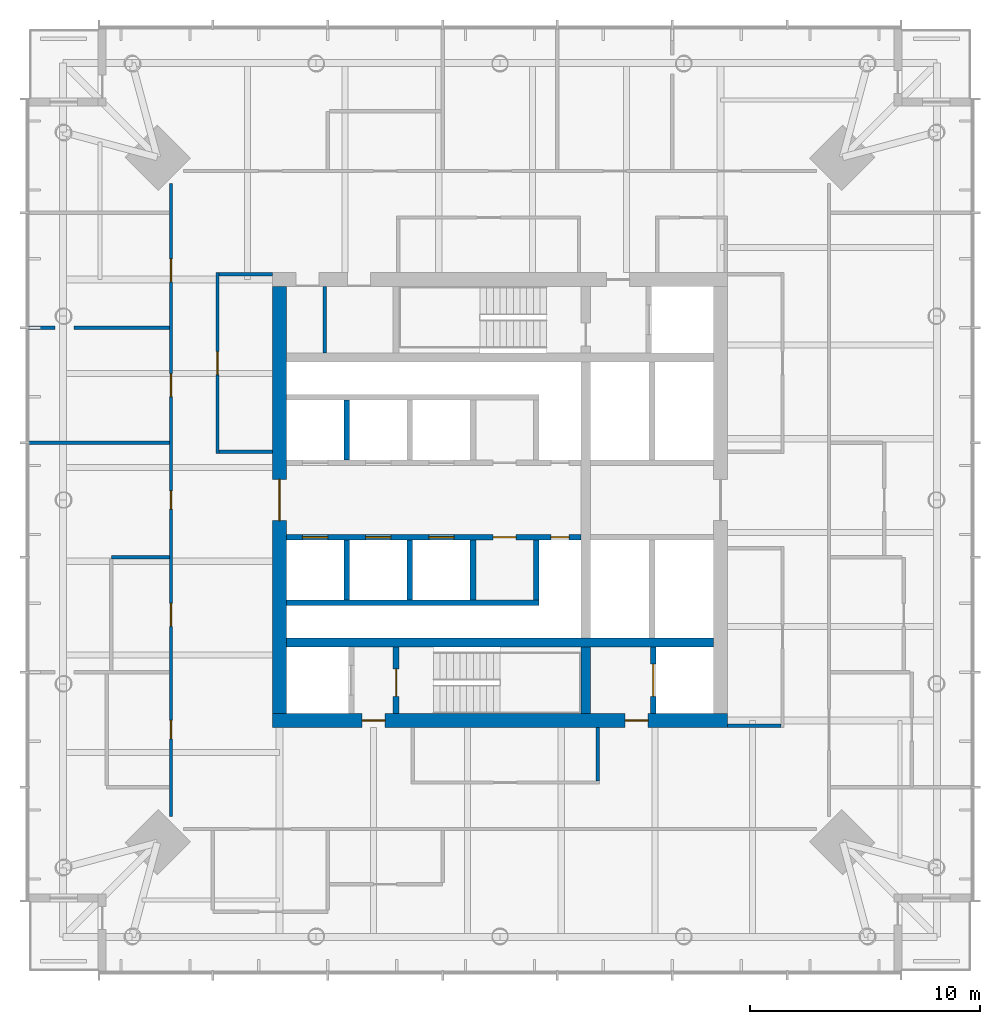
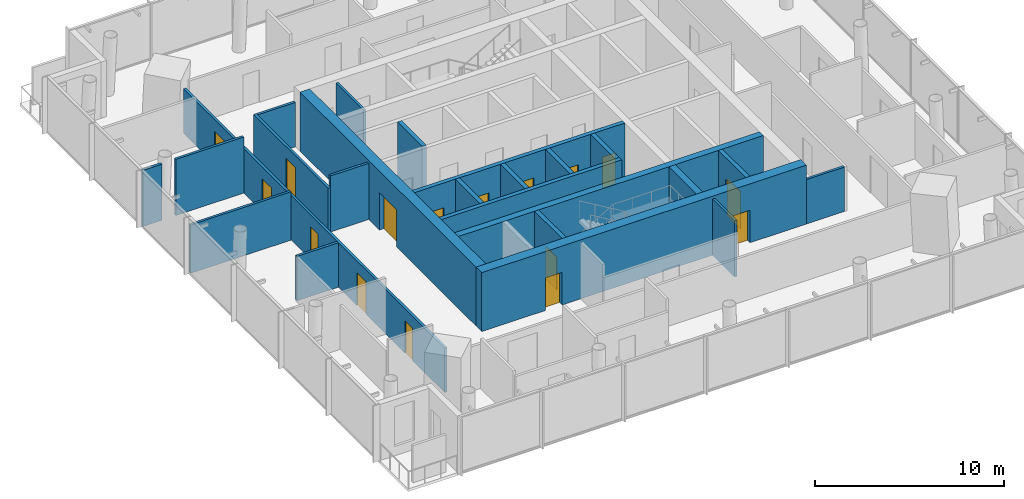
# One storey, part 5 of 9: 24 walls, 16 doors, 16 openings.
"""IFC4 building model written with IfcOpenShell, lengths in metres."""

from ifc_helpers import new_model, si_unit, direction, frame, frame_2d, origin, place, context, subcontext, project, spatial, rectangle, extrude, material, layer, layer_set, type_object, element, fill, save


model = new_model("IFC4")

# Units and contexts
model_context = context("Model", 3, precision=1e-05, world=origin(), true_north=direction((0.0, 1.0)))
body_context = subcontext(model_context, "Body", "Model", "MODEL_VIEW")
ifc_project = project(units=[si_unit("LENGTHUNIT", "METRE"), si_unit("AREAUNIT", "SQUARE_METRE"), si_unit("VOLUMEUNIT", "CUBIC_METRE"), si_unit("PLANEANGLEUNIT", "RADIAN"), si_unit("MASSUNIT", "GRAM", prefix="KILO")], contexts=[model_context])

# Site, building, storey
site_placement = place(None, origin())
site = spatial("IfcSite", under=ifc_project, at=site_placement, CompositionType="ELEMENT")
building_placement = place(site_placement, origin())
building = spatial("IfcBuilding", under=site, at=building_placement, Name="Ostroluk Exchange", CompositionType="ELEMENT")
storey_placement = place(building_placement, frame((0.0, 0.0, 176.800048828125)))
storey = spatial("IfcBuildingStorey", under=building, at=storey_placement, Name="L45", CompositionType="ELEMENT", Elevation=176.800048828125)

# Walls
ifc_material_1 = material(Name="Concrete blockwork", Category="masonry")
ifc_layer_1 = layer(ifc_material_1, 0.14990234375)
ifc_layer_set_1 = layer_set([ifc_layer_1], Name="Blockwork plant room wall 150")
wall_type_1 = type_object("IfcWallType", Name="Blockwork plant room wall 150", PredefinedType="SOLIDWALL", material=ifc_layer_set_1)
wall_1_placement = place(storey_placement, frame((37.3740234375, 52.39990234375, 0.0), z_axis=(0.0, 0.0, 1.0), x_axis=(0.0, 1.0, 0.0)))
element("IfcWall", 1, at=wall_1_placement, inside=storey, type_object=wall_type_1, Name="Core room wall", PredefinedType="SOLIDWALL", context=body_context, shape_type="SweptSolid", body=[
    extrude(rectangle(XDim=2.900146484375, YDim=0.14990234375, at=frame_2d((1.4501953125, 0.0))), origin(), (0.0, 0.0, 1.0), 3.619873046875),
])
ifc_material_2 = material(Name="Concrete C50/60", Category="concrete")
ifc_layer_2 = layer(ifc_material_2, 0.39990234375)
ifc_layer_set_2 = layer_set([ifc_layer_2], Name="Core cross wall 400 C50/60")
wall_type_2 = type_object("IfcWallType", Name="Core cross wall 400 C50/60", PredefinedType="SHEAR", material=ifc_layer_set_2)
wall_2_placement = place(storey_placement, frame((35.699951171875, 39.800048828125, 0.0), z_axis=(0.0, 0.0, 1.0), x_axis=(1.0, 0.0, 0.0)))
element("IfcWall", 2, at=wall_2_placement, inside=storey, type_object=wall_type_2, Name="T1 core wall XS", PredefinedType="SHEAR", context=body_context, shape_type="SweptSolid", body=[
    extrude(rectangle(XDim=18.60009765625, YDim=0.39990234375, at=frame_2d((9.300048828125, 0.0))), origin(), (0.0, 0.0, 1.0), 3.800048828125),
])
wall_3_placement = place(storey_placement, frame((48.72998046875, 36.699951171875, 0.0), z_axis=(0.0, 0.0, 1.0), x_axis=(0.0, 1.0, 0.0)))
element("IfcWall", 3, at=wall_3_placement, inside=storey, type_object=wall_type_2, Name="T1 core wall YE1", PredefinedType="SHEAR", context=body_context, shape_type="SweptSolid", body=[
    extrude(rectangle(XDim=2.900146484375, YDim=0.39990234375, at=frame_2d((1.4501953125, 0.0))), origin(), (0.0, 0.0, 1.0), 3.800048828125),
])

# Wall, opening, door
ifc_material_3 = material(Name="Concrete C40/50", Category="concrete")
ifc_layer_3 = layer(ifc_material_3, 0.25)
ifc_layer_set_3 = layer_set([ifc_layer_3], Name="Core shaft wall 250")
wall_type_3 = type_object("IfcWallType", Name="Core shaft wall 250", PredefinedType="SHEAR", material=ifc_layer_set_3)
wall_4_placement = place(storey_placement, frame((40.47509765625, 36.699951171875, 0.0), z_axis=(0.0, 0.0, 1.0), x_axis=(0.0, 1.0, 0.0)))
wall_4 = element("IfcWall", 4, at=wall_4_placement, inside=storey, type_object=wall_type_3, Name="Stair shaft wall", PredefinedType="SHEAR", context=body_context, shape_type="SweptSolid", body=[
    extrude(rectangle(XDim=2.900146484375, YDim=0.25, at=frame_2d((1.4501953125, 0.0))), origin(), (0.0, 0.0, 1.0), 3.800048828125),
])
opening_1_placement = place(wall_4_placement, frame((0.75, 0.0, 0.0)))
opening_1 = element("IfcOpeningElement", 5, at=opening_1_placement, cuts=wall_4, Name="Opening FD60S", PredefinedType="OPENING", context=body_context, shape_type="SweptSolid", body=[
    extrude(rectangle(XDim=1.199951171875, YDim=2.10009765625, at=frame_2d((0.60009765625, 1.050048828125))), frame((0.0, 0.135009765625, 0.0), z_axis=(0.0, -1.0, 0.0), x_axis=(1.0, 0.0, 0.0)), (0.0, 0.0, 1.0), 0.27001953125),
])
ifc_material_4 = material(Name="Steel", Category="steel")
door_type_1 = type_object("IfcDoorType", Name="Stair door EI 60 1200 x 2100", OperationType="SINGLE_SWING_LEFT", PredefinedType="DOOR", material=ifc_material_4)
door_1_placement = place(opening_1_placement, origin())
door_1 = element("IfcDoor", 6, at=door_1_placement, inside=storey, type_object=door_type_1, Name="Stair T1-S1 door", OperationType="SINGLE_SWING_LEFT", OverallHeight=2.10009765625, OverallWidth=1.199951171875, PredefinedType="DOOR", context=body_context, shape_type="SweptSolid", body=[
    extrude(rectangle(XDim=1.199951171875, YDim=2.10009765625, at=frame_2d((0.60009765625, 1.050048828125))), frame((0.0, 0.02490234375, 0.0), z_axis=(0.0, -1.0, 0.0), x_axis=(1.0, 0.0, 0.0)), (0.0, 0.0, 1.0), 0.050048828125),
])
fill(opening_1, door_1)

wall_5_placement = place(storey_placement, frame((51.675048828125, 36.699951171875, 0.0), z_axis=(0.0, 0.0, 1.0), x_axis=(0.0, 1.0, 0.0)))
wall_5 = element("IfcWall", 7, at=wall_5_placement, inside=storey, type_object=wall_type_3, Name="Service lift shaft wall", PredefinedType="SHEAR", context=body_context, shape_type="SweptSolid", body=[
    extrude(rectangle(XDim=2.900146484375, YDim=0.25, at=frame_2d((1.4501953125, 0.0))), origin(), (0.0, 0.0, 1.0), 3.800048828125),
])
opening_2_placement = place(wall_5_placement, frame((0.75, 0.0, 0.0)))
opening_2 = element("IfcOpeningElement", 8, at=opening_2_placement, cuts=wall_5, Name="Opening LD3", PredefinedType="OPENING", context=body_context, shape_type="SweptSolid", body=[
    extrude(rectangle(XDim=1.39990234375, YDim=2.39990234375, at=frame_2d((0.699951171875, 1.199951171875))), frame((0.0, 0.135009765625, 0.0), z_axis=(0.0, -1.0, 0.0), x_axis=(1.0, 0.0, 0.0)), (0.0, 0.0, 1.0), 0.27001953125),
])
ifc_material_5 = material(Name="Stainless steel", Category="steel")
door_type_2 = type_object("IfcDoorType", Name="Goods lift landing door E 60 1400 x 2400", OperationType="DOUBLE_DOOR_SLIDING", PredefinedType="DOOR", material=ifc_material_5)
door_2_placement = place(opening_2_placement, origin())
door_2 = element("IfcDoor", 9, at=door_2_placement, inside=storey, type_object=door_type_2, Name="Lift SL1 landing door", OperationType="DOUBLE_DOOR_SLIDING", OverallHeight=2.39990234375, OverallWidth=1.39990234375, PredefinedType="DOOR", context=body_context, shape_type="SweptSolid", body=[
    extrude(rectangle(XDim=1.39990234375, YDim=2.39990234375, at=frame_2d((0.699951171875, 1.199951171875))), frame((0.0, 0.02490234375, 0.0), z_axis=(0.0, -1.0, 0.0), x_axis=(1.0, 0.0, 0.0)), (0.0, 0.0, 1.0), 0.050048828125),
])
fill(opening_2, door_2)

# Walls
for number, where, z_axis, x_axis, name in (
    (10, (38.324951171875, 47.75, 0.0), (0.0, 0.0, 1.0), (0.0, 1.0, 0.0), "Lift shaft wall"),
    (11, (38.324951171875, 44.25, 0.0), (0.0, 0.0, 1.0), (0.0, -1.0, 0.0), "Lift shaft wall"),
    (12, (41.074951171875, 44.25, 0.0), (0.0, 0.0, 1.0), (0.0, -1.0, 0.0), "Lift shaft wall"),
    (13, (43.824951171875, 44.25, 0.0), (0.0, 0.0, 1.0), (0.0, -1.0, 0.0), "Lift shaft wall"),
    (14, (46.574951171875, 44.25, 0.0), (0.0, 0.0, 1.0), (0.0, -1.0, 0.0), "Lift shaft wall"),
):
    element("IfcWall", number, at=place(storey_placement, frame(where, z_axis=z_axis, x_axis=x_axis)), inside=storey, type_object=wall_type_3, Name=name, PredefinedType="SHEAR", context=body_context, shape_type="SweptSolid", body=[
        extrude(rectangle(XDim=2.60009765625, YDim=0.25, at=frame_2d((1.300048828125, 0.0))), origin(), (0.0, 0.0, 1.0), 3.800048828125),
    ])
wall_6_placement = place(storey_placement, frame((35.699951171875, 41.52490234375, 0.0), z_axis=(0.0, 0.0, 1.0), x_axis=(1.0, 0.0, 0.0)))
element("IfcWall", 15, at=wall_6_placement, inside=storey, type_object=wall_type_3, Name="Lift shaft wall", PredefinedType="SHEAR", context=body_context, shape_type="SweptSolid", body=[
    extrude(rectangle(XDim=11.0, YDim=0.25, at=frame_2d((5.5, 0.0))), origin(), (0.0, 0.0, 1.0), 3.800048828125),
])

# Wall, openings, doors
wall_7_placement = place(storey_placement, frame((35.699951171875, 44.375, 0.0), z_axis=(0.0, 0.0, 1.0), x_axis=(1.0, 0.0, 0.0)))
wall_7 = element("IfcWall", 16, at=wall_7_placement, inside=storey, type_object=wall_type_3, Name="Lift shaft front wall", PredefinedType="SHEAR", context=body_context, shape_type="SweptSolid", body=[
    extrude(rectangle(XDim=12.830078125, YDim=0.25, at=frame_2d((6.4150390625, 0.0))), origin(), (0.0, 0.0, 1.0), 3.800048828125),
])
opening_3_placement = place(wall_7_placement, frame((0.699951171875, 0.0, 0.0)))
opening_3 = element("IfcOpeningElement", 17, at=opening_3_placement, cuts=wall_7, Name="Opening LD", PredefinedType="OPENING", context=body_context, shape_type="SweptSolid", body=[
    extrude(rectangle(XDim=1.10009765625, YDim=2.199951171875, at=frame_2d((0.550048828125, 1.10009765625))), frame((0.0, 0.135009765625, 0.0), z_axis=(0.0, -1.0, 0.0), x_axis=(1.0, 0.0, 0.0)), (0.0, 0.0, 1.0), 0.27001953125),
])
opening_4_placement = place(wall_7_placement, frame((3.449951171875, 0.0, 0.0)))
opening_4 = element("IfcOpeningElement", 18, at=opening_4_placement, cuts=wall_7, Name="Opening LD", PredefinedType="OPENING", context=body_context, shape_type="SweptSolid", body=[
    extrude(rectangle(XDim=1.10009765625, YDim=2.199951171875, at=frame_2d((0.550048828125, 1.10009765625))), frame((0.0, 0.135009765625, 0.0), z_axis=(0.0, -1.0, 0.0), x_axis=(1.0, 0.0, 0.0)), (0.0, 0.0, 1.0), 0.27001953125),
])
opening_5_placement = place(wall_7_placement, frame((6.199951171875, 0.0, 0.0)))
opening_5 = element("IfcOpeningElement", 19, at=opening_5_placement, cuts=wall_7, Name="Opening LD", PredefinedType="OPENING", context=body_context, shape_type="SweptSolid", body=[
    extrude(rectangle(XDim=1.10009765625, YDim=2.199951171875, at=frame_2d((0.550048828125, 1.10009765625))), frame((0.0, 0.135009765625, 0.0), z_axis=(0.0, -1.0, 0.0), x_axis=(1.0, 0.0, 0.0)), (0.0, 0.0, 1.0), 0.27001953125),
])
opening_6_placement = place(wall_7_placement, frame((9.0, 0.0, 0.0)))
opening_6 = element("IfcOpeningElement", 20, at=opening_6_placement, cuts=wall_7, Name="Opening FD60", PredefinedType="OPENING", context=body_context, shape_type="SweptSolid", body=[
    extrude(rectangle(XDim=1.0, YDim=2.10009765625, at=frame_2d((0.5, 1.050048828125))), frame((0.0, 0.135009765625, 0.0), z_axis=(0.0, -1.0, 0.0), x_axis=(1.0, 0.0, 0.0)), (0.0, 0.0, 1.0), 0.27001953125),
])
opening_7_placement = place(wall_7_placement, frame((11.514892578125, 0.0, 0.0)))
opening_7 = element("IfcOpeningElement", 21, at=opening_7_placement, cuts=wall_7, Name="Opening RD60", PredefinedType="OPENING", context=body_context, shape_type="SweptSolid", body=[
    extrude(rectangle(XDim=0.800048828125, YDim=2.0, at=frame_2d((0.39990234375, 1.0))), frame((0.0, 0.135009765625, 0.0), z_axis=(0.0, -1.0, 0.0), x_axis=(1.0, 0.0, 0.0)), (0.0, 0.0, 1.0), 0.27001953125),
])
ifc_material_6 = material(Name="Steel", Category="steel")
door_type_3 = type_object("IfcDoorType", Name="Fire door EI 60 1000 x 2100", OperationType="SINGLE_SWING_LEFT", PredefinedType="DOOR", material=ifc_material_6)
door_3_placement = place(opening_6_placement, origin())
door_3 = element("IfcDoor", 22, at=door_3_placement, inside=storey, type_object=door_type_3, Name="Core room door", OperationType="SINGLE_SWING_RIGHT", OverallHeight=2.10009765625, OverallWidth=1.0, PredefinedType="DOOR", context=body_context, shape_type="SweptSolid", body=[
    extrude(rectangle(XDim=1.0, YDim=2.10009765625, at=frame_2d((0.5, 1.050048828125))), frame((0.0, 0.02490234375, 0.0), z_axis=(0.0, -1.0, 0.0), x_axis=(1.0, 0.0, 0.0)), (0.0, 0.0, 1.0), 0.050048828125),
])
fill(opening_6, door_3)
ifc_material_7 = material(Name="Stainless steel", Category="steel")
door_type_4 = type_object("IfcDoorType", Name="Lift landing door E 60 1100 x 2200", OperationType="DOUBLE_DOOR_SLIDING", PredefinedType="DOOR", material=ifc_material_7)
door_4_placement = place(opening_3_placement, origin())
door_4 = element("IfcDoor", 23, at=door_4_placement, inside=storey, type_object=door_type_4, Name="Lift PL-H4 landing door", OperationType="DOUBLE_DOOR_SLIDING", OverallHeight=2.199951171875, OverallWidth=1.10009765625, PredefinedType="DOOR", context=body_context, shape_type="SweptSolid", body=[
    extrude(rectangle(XDim=1.10009765625, YDim=2.199951171875, at=frame_2d((0.550048828125, 1.10009765625))), frame((0.0, 0.02490234375, 0.0), z_axis=(0.0, -1.0, 0.0), x_axis=(1.0, 0.0, 0.0)), (0.0, 0.0, 1.0), 0.050048828125),
])
fill(opening_3, door_4)
door_5_placement = place(opening_4_placement, origin())
door_5 = element("IfcDoor", 24, at=door_5_placement, inside=storey, type_object=door_type_4, Name="Lift PL-H5 landing door", OperationType="DOUBLE_DOOR_SLIDING", OverallHeight=2.199951171875, OverallWidth=1.10009765625, PredefinedType="DOOR", context=body_context, shape_type="SweptSolid", body=[
    extrude(rectangle(XDim=1.10009765625, YDim=2.199951171875, at=frame_2d((0.550048828125, 1.10009765625))), frame((0.0, 0.02490234375, 0.0), z_axis=(0.0, -1.0, 0.0), x_axis=(1.0, 0.0, 0.0)), (0.0, 0.0, 1.0), 0.050048828125),
])
fill(opening_4, door_5)
door_6_placement = place(opening_5_placement, origin())
door_6 = element("IfcDoor", 25, at=door_6_placement, inside=storey, type_object=door_type_4, Name="Lift PL-H6 landing door", OperationType="DOUBLE_DOOR_SLIDING", OverallHeight=2.199951171875, OverallWidth=1.10009765625, PredefinedType="DOOR", context=body_context, shape_type="SweptSolid", body=[
    extrude(rectangle(XDim=1.10009765625, YDim=2.199951171875, at=frame_2d((0.550048828125, 1.10009765625))), frame((0.0, 0.02490234375, 0.0), z_axis=(0.0, -1.0, 0.0), x_axis=(1.0, 0.0, 0.0)), (0.0, 0.0, 1.0), 0.050048828125),
])
fill(opening_5, door_6)
ifc_material_8 = material(Name="Steel", Category="steel")
door_type_5 = type_object("IfcDoorType", Name="Riser access door EI 60 800 x 2000", OperationType="SINGLE_SWING_LEFT", PredefinedType="DOOR", material=ifc_material_8)
door_7_placement = place(opening_7_placement, origin())
door_7 = element("IfcDoor", 26, at=door_7_placement, inside=storey, type_object=door_type_5, Name="Riser access door", OperationType="SINGLE_SWING_RIGHT", OverallHeight=2.0, OverallWidth=0.800048828125, PredefinedType="DOOR", context=body_context, shape_type="SweptSolid", body=[
    extrude(rectangle(XDim=0.800048828125, YDim=2.0, at=frame_2d((0.39990234375, 1.0))), frame((0.0, 0.02490234375, 0.0), z_axis=(0.0, -1.0, 0.0), x_axis=(1.0, 0.0, 0.0)), (0.0, 0.0, 1.0), 0.050048828125),
])
fill(opening_7, door_7)

ifc_material_9 = material(Name="Concrete C50/60", Category="concrete")
ifc_layer_4 = layer(ifc_material_9, 0.60009765625)
ifc_layer_set_4 = layer_set([ifc_layer_4], Name="Core wall 600 C50/60")
wall_type_4 = type_object("IfcWallType", Name="Core wall 600 C50/60", PredefinedType="SHEAR", material=ifc_layer_set_4)
wall_8_placement = place(storey_placement, frame((35.10009765625, 36.39990234375, 0.0), z_axis=(0.0, 0.0, 1.0), x_axis=(1.0, 0.0, 0.0)))
wall_8 = element("IfcWall", 27, at=wall_8_placement, inside=storey, type_object=wall_type_4, Name="T1 core wall S", PredefinedType="SHEAR", context=body_context, shape_type="SweptSolid", body=[
    extrude(rectangle(XDim=19.7998046875, YDim=0.60009765625, at=frame_2d((9.89990234375, 0.0))), origin(), (0.0, 0.0, 1.0), 3.800048828125),
])
opening_8_placement = place(wall_8_placement, frame((3.89990234375, 0.0, 0.0)))
opening_8 = element("IfcOpeningElement", 28, at=opening_8_placement, cuts=wall_8, Name="Opening FD60", PredefinedType="OPENING", context=body_context, shape_type="SweptSolid", body=[
    extrude(rectangle(XDim=1.0, YDim=2.10009765625, at=frame_2d((0.5, 1.050048828125))), frame((0.0, 0.31005859375, 0.0), z_axis=(0.0, -1.0, 0.0), x_axis=(1.0, 0.0, 0.0)), (0.0, 0.0, 1.0), 0.6201171875),
])
opening_9_placement = place(wall_8_placement, frame((15.35009765625, 0.0, 0.0)))
opening_9 = element("IfcOpeningElement", 29, at=opening_9_placement, cuts=wall_8, Name="Opening FD60", PredefinedType="OPENING", context=body_context, shape_type="SweptSolid", body=[
    extrude(rectangle(XDim=1.0, YDim=2.10009765625, at=frame_2d((0.5, 1.050048828125))), frame((0.0, 0.31005859375, 0.0), z_axis=(0.0, -1.0, 0.0), x_axis=(1.0, 0.0, 0.0)), (0.0, 0.0, 1.0), 0.6201171875),
])
door_8_placement = place(opening_8_placement, origin())
door_8 = element("IfcDoor", 30, at=door_8_placement, inside=storey, type_object=door_type_3, Name="Firefighting lobby door", OperationType="SINGLE_SWING_LEFT", OverallHeight=2.10009765625, OverallWidth=1.0, PredefinedType="DOOR", context=body_context, shape_type="SweptSolid", body=[
    extrude(rectangle(XDim=1.0, YDim=2.10009765625, at=frame_2d((0.5, 1.050048828125))), frame((0.0, 0.02490234375, 0.0), z_axis=(0.0, -1.0, 0.0), x_axis=(1.0, 0.0, 0.0)), (0.0, 0.0, 1.0), 0.050048828125),
])
fill(opening_8, door_8)
door_9_placement = place(opening_9_placement, origin())
door_9 = element("IfcDoor", 31, at=door_9_placement, inside=storey, type_object=door_type_3, Name="Service lobby door", OperationType="SINGLE_SWING_RIGHT", OverallHeight=2.10009765625, OverallWidth=1.0, PredefinedType="DOOR", context=body_context, shape_type="SweptSolid", body=[
    extrude(rectangle(XDim=1.0, YDim=2.10009765625, at=frame_2d((0.5, 1.050048828125))), frame((0.0, 0.02490234375, 0.0), z_axis=(0.0, -1.0, 0.0), x_axis=(1.0, 0.0, 0.0)), (0.0, 0.0, 1.0), 0.050048828125),
])
fill(opening_9, door_9)

# Wall, opening, door
wall_9_placement = place(storey_placement, frame((35.39990234375, 36.699951171875, 0.0), z_axis=(0.0, 0.0, 1.0), x_axis=(0.0, 1.0, 0.0)))
wall_9 = element("IfcWall", 32, at=wall_9_placement, inside=storey, type_object=wall_type_4, Name="T1 core wall W", PredefinedType="SHEAR", context=body_context, shape_type="SweptSolid", body=[
    extrude(rectangle(XDim=18.60009765625, YDim=0.60009765625, at=frame_2d((9.300048828125, 0.0))), origin(), (0.0, 0.0, 1.0), 3.800048828125),
])
opening_10_placement = place(wall_9_placement, frame((8.39990234375, 0.0, 0.0)))
opening_10 = element("IfcOpeningElement", 33, at=opening_10_placement, cuts=wall_9, Name="Opening FD30D", PredefinedType="OPENING", context=body_context, shape_type="SweptSolid", body=[
    extrude(rectangle(XDim=1.800048828125, YDim=2.39990234375, at=frame_2d((0.89990234375, 1.199951171875))), frame((0.0, 0.31005859375, 0.0), z_axis=(0.0, -1.0, 0.0), x_axis=(1.0, 0.0, 0.0)), (0.0, 0.0, 1.0), 0.6201171875),
])
ifc_material_10 = material(Name="Timber", Category="wood")
door_type_6 = type_object("IfcDoorType", Name="Lobby double door EI 30 1800 x 2400", OperationType="DOUBLE_DOOR_SINGLE_SWING", PredefinedType="DOOR", material=ifc_material_10)
door_10_placement = place(opening_10_placement, origin())
door_10 = element("IfcDoor", 34, at=door_10_placement, inside=storey, type_object=door_type_6, Name="Lift lobby doors", OperationType="DOUBLE_DOOR_SINGLE_SWING", OverallHeight=2.39990234375, OverallWidth=1.800048828125, PredefinedType="DOOR", context=body_context, shape_type="SweptSolid", body=[
    extrude(rectangle(XDim=1.800048828125, YDim=2.39990234375, at=frame_2d((0.89990234375, 1.199951171875))), frame((0.0, 0.02490234375, 0.0), z_axis=(0.0, -1.0, 0.0), x_axis=(1.0, 0.0, 0.0)), (0.0, 0.0, 1.0), 0.050048828125),
])
fill(opening_10, door_10)

# Wall
ifc_material_11 = material(Name="Gypsum plasterboard partition", Category="gypsum")
ifc_layer_5 = layer(ifc_material_11, 0.14990234375)
ifc_layer_set_5 = layer_set([ifc_layer_5], Name="Plasterboard partition 150")
wall_type_5 = type_object("IfcWallType", Name="Plasterboard partition 150", PredefinedType="PARTITIONING", material=ifc_layer_set_5)
wall_10_placement = place(storey_placement, frame((54.89990234375, 36.175048828125, 0.0), z_axis=(0.0, 0.0, 1.0), x_axis=(1.0, 0.0, 0.0)))
element("IfcWall", 35, at=wall_10_placement, inside=storey, type_object=wall_type_5, Name="Partition", PredefinedType="PARTITIONING", context=body_context, shape_type="SweptSolid", body=[
    extrude(rectangle(XDim=2.3251953125, YDim=0.14990234375, at=frame_2d((1.16259765625, 0.0))), origin(), (0.0, 0.0, 1.0), 2.866943359375),
])

# Wall, opening, door
wall_11_placement = place(storey_placement, frame((32.699951171875, 55.89990234375, 0.0), z_axis=(0.0, 0.0, 1.0), x_axis=(0.0, -1.0, 0.0)))
wall_11 = element("IfcWall", 36, at=wall_11_placement, inside=storey, type_object=wall_type_5, Name="Partition", PredefinedType="PARTITIONING", context=body_context, shape_type="SweptSolid", body=[
    extrude(rectangle(XDim=7.875, YDim=0.14990234375, at=frame_2d((3.9375, 0.0))), origin(), (0.0, 0.0, 1.0), 2.866943359375),
])
opening_11_placement = place(wall_11_placement, frame((3.4375, 0.0, 0.0)))
opening_11 = element("IfcOpeningElement", 37, at=opening_11_placement, cuts=wall_11, Name="Opening D-03", PredefinedType="OPENING", context=body_context, shape_type="SweptSolid", body=[
    extrude(rectangle(XDim=1.0, YDim=2.10009765625, at=frame_2d((0.5, 1.050048828125))), frame((0.0, 0.0849609375, 0.0), z_axis=(0.0, -1.0, 0.0), x_axis=(1.0, 0.0, 0.0)), (0.0, 0.0, 1.0), 0.169921875),
])
ifc_material_12 = material(Name="Timber", Category="wood")
door_type_7 = type_object("IfcDoorType", Name="Internal door 1000 x 2100", OperationType="SINGLE_SWING_LEFT", PredefinedType="DOOR", material=ifc_material_12)
door_11_placement = place(opening_11_placement, origin())
door_11 = element("IfcDoor", 38, at=door_11_placement, inside=storey, type_object=door_type_7, Name="Meeting room door", OperationType="SINGLE_SWING_LEFT", OverallHeight=2.10009765625, OverallWidth=1.0, PredefinedType="DOOR", context=body_context, shape_type="SweptSolid", body=[
    extrude(rectangle(XDim=1.0, YDim=2.10009765625, at=frame_2d((0.5, 1.050048828125))), frame((0.0, 0.02490234375, 0.0), z_axis=(0.0, -1.0, 0.0), x_axis=(1.0, 0.0, 0.0)), (0.0, 0.0, 1.0), 0.050048828125),
])
fill(opening_11, door_11)

# Walls
wall_12_placement = place(storey_placement, frame((35.10009765625, 55.824951171875, 0.0), z_axis=(0.0, 0.0, 1.0), x_axis=(-1.0, 0.0, 0.0)))
element("IfcWall", 39, at=wall_12_placement, inside=storey, type_object=wall_type_5, Name="Partition", PredefinedType="PARTITIONING", context=body_context, shape_type="SweptSolid", body=[
    extrude(rectangle(XDim=2.3251953125, YDim=0.14990234375, at=frame_2d((1.16259765625, 0.0))), origin(), (0.0, 0.0, 1.0), 2.866943359375),
])
for number, where, z_axis, x_axis, name in (
    (40, (35.10009765625, 48.10009765625, 0.0), (0.0, 0.0, 1.0), (-1.0, 0.0, 0.0), "Partition"),
    (41, (49.25, 36.10009765625, 0.0), (0.0, 0.0, 1.0), (0.0, -1.0, 0.0), "Partition"),
):
    element("IfcWall", number, at=place(storey_placement, frame(where, z_axis=z_axis, x_axis=x_axis)), inside=storey, type_object=wall_type_5, Name=name, PredefinedType="PARTITIONING", context=body_context, shape_type="SweptSolid", body=[
        extrude(rectangle(XDim=2.3251953125, YDim=0.14990234375, at=frame_2d((1.16259765625, 0.0))), origin(), (0.0, 0.0, 1.0), 3.619873046875),
    ])

# Wall, openings, doors
wall_13_placement = place(storey_placement, frame((30.675048828125, 59.785888671875, 0.0), z_axis=(0.0, 0.0, 1.0), x_axis=(0.0, -1.0, 0.0)))
wall_13 = element("IfcWall", 42, at=wall_13_placement, inside=storey, type_object=wall_type_5, Name="Partition", PredefinedType="PARTITIONING", context=body_context, shape_type="SweptSolid", body=[
    extrude(rectangle(XDim=27.57177734375, YDim=0.14990234375, at=frame_2d((13.785888671875, 0.0))), origin(), (0.0, 0.0, 1.0), 2.866943359375),
])
opening_12_placement = place(wall_13_placement, frame((3.285888671875, 0.0, 0.0)))
opening_12 = element("IfcOpeningElement", 43, at=opening_12_placement, cuts=wall_13, Name="Opening D-03", PredefinedType="OPENING", context=body_context, shape_type="SweptSolid", body=[
    extrude(rectangle(XDim=1.0, YDim=2.10009765625, at=frame_2d((0.5, 1.050048828125))), frame((0.0, 0.0849609375, 0.0), z_axis=(0.0, -1.0, 0.0), x_axis=(1.0, 0.0, 0.0)), (0.0, 0.0, 1.0), 0.169921875),
])
opening_13_placement = place(wall_13_placement, frame((8.285888671875, 0.0, 0.0)))
opening_13 = element("IfcOpeningElement", 44, at=opening_13_placement, cuts=wall_13, Name="Opening D-03", PredefinedType="OPENING", context=body_context, shape_type="SweptSolid", body=[
    extrude(rectangle(XDim=1.0, YDim=2.10009765625, at=frame_2d((0.5, 1.050048828125))), frame((0.0, 0.0849609375, 0.0), z_axis=(0.0, -1.0, 0.0), x_axis=(1.0, 0.0, 0.0)), (0.0, 0.0, 1.0), 0.169921875),
])
opening_14_placement = place(wall_13_placement, frame((13.3857421875, 0.0, 0.0)))
opening_14 = element("IfcOpeningElement", 45, at=opening_14_placement, cuts=wall_13, Name="Opening D-06", PredefinedType="OPENING", context=body_context, shape_type="SweptSolid", body=[
    extrude(rectangle(XDim=0.800048828125, YDim=2.10009765625, at=frame_2d((0.39990234375, 1.050048828125))), frame((0.0, 0.0849609375, 0.0), z_axis=(0.0, -1.0, 0.0), x_axis=(1.0, 0.0, 0.0)), (0.0, 0.0, 1.0), 0.169921875),
])
opening_15_placement = place(wall_13_placement, frame((18.285888671875, 0.0, 0.0)))
opening_15 = element("IfcOpeningElement", 46, at=opening_15_placement, cuts=wall_13, Name="Opening D-03", PredefinedType="OPENING", context=body_context, shape_type="SweptSolid", body=[
    extrude(rectangle(XDim=1.0, YDim=2.10009765625, at=frame_2d((0.5, 1.050048828125))), frame((0.0, 0.0849609375, 0.0), z_axis=(0.0, -1.0, 0.0), x_axis=(1.0, 0.0, 0.0)), (0.0, 0.0, 1.0), 0.169921875),
])
opening_16_placement = place(wall_13_placement, frame((23.3857421875, 0.0, 0.0)))
opening_16 = element("IfcOpeningElement", 47, at=opening_16_placement, cuts=wall_13, Name="Opening D-06", PredefinedType="OPENING", context=body_context, shape_type="SweptSolid", body=[
    extrude(rectangle(XDim=0.800048828125, YDim=2.10009765625, at=frame_2d((0.39990234375, 1.050048828125))), frame((0.0, 0.0849609375, 0.0), z_axis=(0.0, -1.0, 0.0), x_axis=(1.0, 0.0, 0.0)), (0.0, 0.0, 1.0), 0.169921875),
])
door_12_placement = place(opening_12_placement, origin())
door_12 = element("IfcDoor", 48, at=door_12_placement, inside=storey, type_object=door_type_7, Name="Office door", OperationType="SINGLE_SWING_LEFT", OverallHeight=2.10009765625, OverallWidth=1.0, PredefinedType="DOOR", context=body_context, shape_type="SweptSolid", body=[
    extrude(rectangle(XDim=1.0, YDim=2.10009765625, at=frame_2d((0.5, 1.050048828125))), frame((0.0, 0.02490234375, 0.0), z_axis=(0.0, -1.0, 0.0), x_axis=(1.0, 0.0, 0.0)), (0.0, 0.0, 1.0), 0.050048828125),
])
fill(opening_12, door_12)
door_13_placement = place(opening_13_placement, origin())
door_13 = element("IfcDoor", 49, at=door_13_placement, inside=storey, type_object=door_type_7, Name="Meeting room door", OperationType="SINGLE_SWING_LEFT", OverallHeight=2.10009765625, OverallWidth=1.0, PredefinedType="DOOR", context=body_context, shape_type="SweptSolid", body=[
    extrude(rectangle(XDim=1.0, YDim=2.10009765625, at=frame_2d((0.5, 1.050048828125))), frame((0.0, 0.02490234375, 0.0), z_axis=(0.0, -1.0, 0.0), x_axis=(1.0, 0.0, 0.0)), (0.0, 0.0, 1.0), 0.050048828125),
])
fill(opening_13, door_13)
door_14_placement = place(opening_15_placement, origin())
door_14 = element("IfcDoor", 50, at=door_14_placement, inside=storey, type_object=door_type_7, Name="Accessible WC door", OperationType="SINGLE_SWING_RIGHT", OverallHeight=2.10009765625, OverallWidth=1.0, PredefinedType="DOOR", context=body_context, shape_type="SweptSolid", body=[
    extrude(rectangle(XDim=1.0, YDim=2.10009765625, at=frame_2d((0.5, 1.050048828125))), frame((0.0, 0.02490234375, 0.0), z_axis=(0.0, -1.0, 0.0), x_axis=(1.0, 0.0, 0.0)), (0.0, 0.0, 1.0), 0.050048828125),
])
fill(opening_15, door_14)
ifc_material_13 = material(Name="Timber", Category="wood")
door_type_8 = type_object("IfcDoorType", Name="Toilet door 800 x 2100", OperationType="SINGLE_SWING_LEFT", PredefinedType="DOOR", material=ifc_material_13)
door_15_placement = place(opening_14_placement, origin())
door_15 = element("IfcDoor", 51, at=door_15_placement, inside=storey, type_object=door_type_8, Name="WC female door", OperationType="SINGLE_SWING_LEFT", OverallHeight=2.10009765625, OverallWidth=0.800048828125, PredefinedType="DOOR", context=body_context, shape_type="SweptSolid", body=[
    extrude(rectangle(XDim=0.800048828125, YDim=2.10009765625, at=frame_2d((0.39990234375, 1.050048828125))), frame((0.0, 0.02490234375, 0.0), z_axis=(0.0, -1.0, 0.0), x_axis=(1.0, 0.0, 0.0)), (0.0, 0.0, 1.0), 0.050048828125),
])
fill(opening_14, door_15)
door_16_placement = place(opening_16_placement, origin())
door_16 = element("IfcDoor", 52, at=door_16_placement, inside=storey, type_object=door_type_8, Name="WC male door", OperationType="SINGLE_SWING_RIGHT", OverallHeight=2.10009765625, OverallWidth=0.800048828125, PredefinedType="DOOR", context=body_context, shape_type="SweptSolid", body=[
    extrude(rectangle(XDim=0.800048828125, YDim=2.10009765625, at=frame_2d((0.39990234375, 1.050048828125))), frame((0.0, 0.02490234375, 0.0), z_axis=(0.0, -1.0, 0.0), x_axis=(1.0, 0.0, 0.0)), (0.0, 0.0, 1.0), 0.050048828125),
])
fill(opening_16, door_16)

# Walls
wall_14_placement = place(storey_placement, frame((30.60009765625, 53.5, 0.0), z_axis=(0.0, 0.0, 1.0), x_axis=(-1.0, 0.0, 0.0)))
element("IfcWall", 53, at=wall_14_placement, inside=storey, type_object=wall_type_5, Name="Partition", PredefinedType="PARTITIONING", context=body_context, shape_type="SweptSolid", body=[
    extrude(rectangle(XDim=4.14453125, YDim=0.14990234375, at=frame_2d((2.072265625, 0.0))), origin(), (0.0, 0.0, 1.0), 3.619873046875),
])
wall_15_placement = place(storey_placement, frame((25.623046875, 53.5, 0.0), z_axis=(0.0, 0.0, 1.0), x_axis=(-1.0, 0.0, 0.0)))
element("IfcWall", 54, at=wall_15_placement, inside=storey, type_object=wall_type_5, Name="Partition", PredefinedType="PARTITIONING", context=body_context, shape_type="SweptSolid", body=[
    extrude(rectangle(XDim=1.1630859375, YDim=0.14990234375, at=frame_2d((0.58154296875, 0.0))), origin(), (0.0, 0.0, 1.0), 3.619873046875),
])
wall_16_placement = place(storey_placement, frame((30.60009765625, 48.5, 0.0), z_axis=(0.0, 0.0, 1.0), x_axis=(-1.0, 0.0, 0.0)))
element("IfcWall", 55, at=wall_16_placement, inside=storey, type_object=wall_type_5, Name="Partition", PredefinedType="PARTITIONING", context=body_context, shape_type="SweptSolid", body=[
    extrude(rectangle(XDim=6.14013671875, YDim=0.14990234375, at=frame_2d((3.070068359375, 0.0))), origin(), (0.0, 0.0, 1.0), 3.119873046875),
])
wall_17_placement = place(storey_placement, frame((30.60009765625, 43.5, 0.0), z_axis=(0.0, 0.0, 1.0), x_axis=(-1.0, 0.0, 0.0)))
element("IfcWall", 56, at=wall_17_placement, inside=storey, type_object=wall_type_5, Name="Partition", PredefinedType="PARTITIONING", context=body_context, shape_type="SweptSolid", body=[
    extrude(rectangle(XDim=2.525146484375, YDim=0.14990234375, at=frame_2d((1.2626953125, 0.0))), origin(), (0.0, 0.0, 1.0), 2.866943359375),
])

save(model, "model.ifc")
